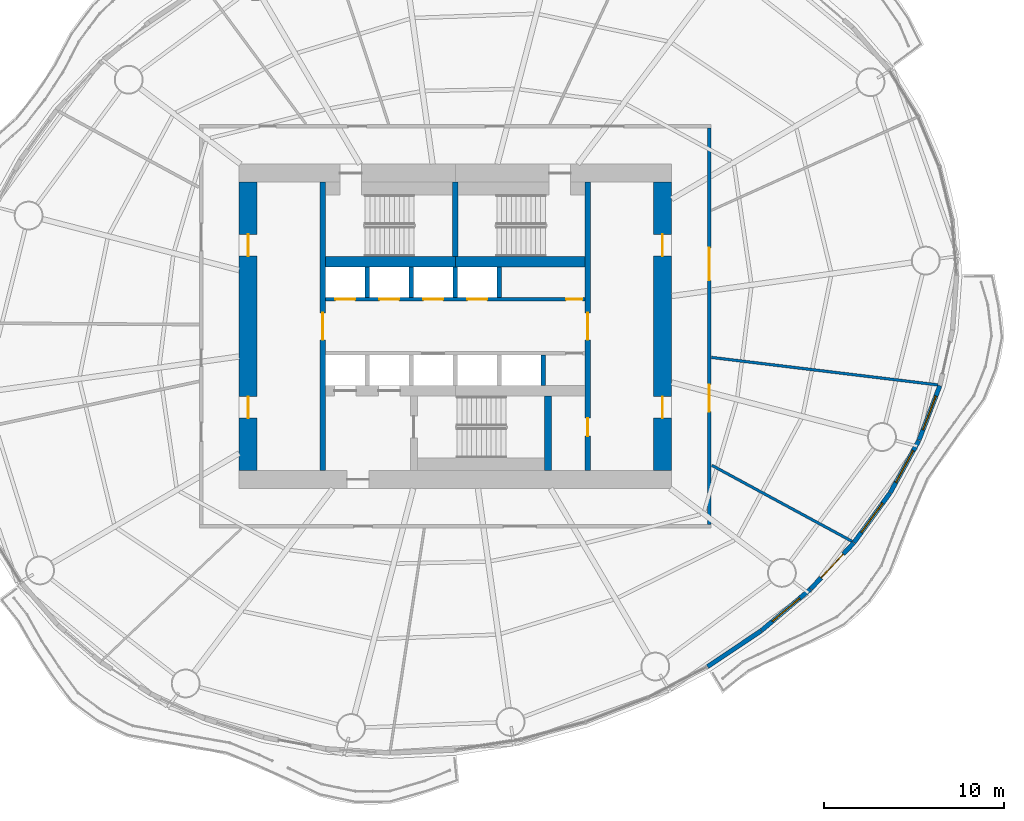
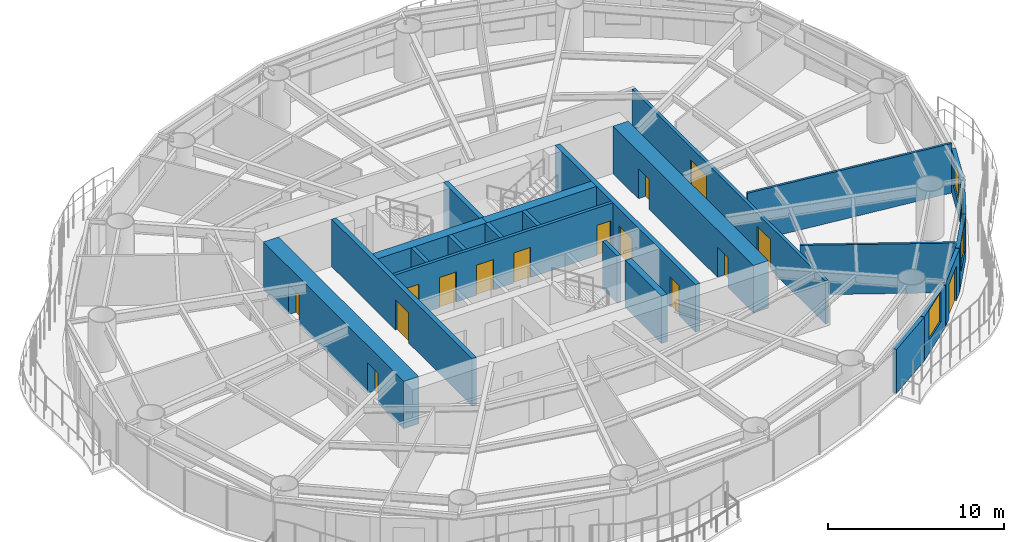
# One storey, part 8 of 14: 23 walls, 15 doors, 4 windows, 19 openings.
"""IFC4 building model written with IfcOpenShell, lengths in metres."""

from ifc_helpers import new_model, si_unit, direction, frame, frame_2d, origin, place, context, subcontext, project, spatial, rectangle, extrude, material, layer, layer_set, type_object, element, fill, save


model = new_model("IFC4")

# Units and contexts
model_context = context("Model", 3, precision=1e-05, world=origin(), true_north=direction((0.0, 1.0)))
body_context = subcontext(model_context, "Body", "Model", "MODEL_VIEW")
ifc_project = project(units=[si_unit("LENGTHUNIT", "METRE"), si_unit("AREAUNIT", "SQUARE_METRE"), si_unit("VOLUMEUNIT", "CUBIC_METRE"), si_unit("PLANEANGLEUNIT", "RADIAN"), si_unit("MASSUNIT", "GRAM", prefix="KILO")], contexts=[model_context])

# Site, building, storey
site_placement = place(None, origin())
site = spatial("IfcSite", under=ifc_project, at=site_placement, CompositionType="ELEMENT")
building_placement = place(site_placement, origin())
building = spatial("IfcBuilding", under=site, at=building_placement, Name="Vermilion Reach Broadcast Tower", CompositionType="ELEMENT")
storey_placement = place(building_placement, frame((0.0, 0.0, 106.60009765625)))
storey = spatial("IfcBuildingStorey", under=building, at=storey_placement, Name="L24", CompositionType="ELEMENT", Elevation=106.60009765625)

# Wall, opening, door
ifc_material_1 = material(Name="Concrete C70", Category="concrete")
ifc_layer_1 = layer(ifc_material_1, 0.300048828125)
ifc_layer_set_1 = layer_set([ifc_layer_1], Name="Core inner wall 300 mm Concrete C70")
wall_type_1 = type_object("IfcWallType", Name="Core inner wall 300 mm Concrete C70", PredefinedType="SHEAR", material=ifc_layer_set_1)
wall_1_placement = place(storey_placement, frame((-13.35009765625, 8.0, 0.0), z_axis=(0.0, 0.0, 1.0), x_axis=(0.0, -1.0, 0.0)))
wall_1 = element("IfcWall", 1, at=wall_1_placement, inside=storey, type_object=wall_type_1, Name="L24 core wall ewW", PredefinedType="SHEAR", context=body_context, shape_type="SweptSolid", body=[
    extrude(rectangle(XDim=16.0, YDim=0.300048828125, at=frame_2d((8.0, 0.0))), origin(), (0.0, 0.0, 1.0), 3.2998046875),
])
opening_1_placement = place(wall_1_placement, frame((7.25, 0.0, 0.0)))
opening_1 = element("IfcOpeningElement", 2, at=opening_1_placement, cuts=wall_1, Name="Opening D04", PredefinedType="OPENING", context=body_context, shape_type="SweptSolid", body=[
    extrude(rectangle(XDim=1.5, YDim=2.10009765625, at=frame_2d((0.75, 1.050048828125))), frame((0.0, 0.159912109375, 0.0), z_axis=(0.0, -1.0, 0.0), x_axis=(1.0, 0.0, 0.0)), (0.0, 0.0, 1.0), 0.320068359375),
])
ifc_material_2 = material(Name="Painted steel fire door", Category="steel")
door_type_1 = type_object("IfcDoorType", Name="Lift lobby door 1500 x 2100", OperationType="DOUBLE_DOOR_SINGLE_SWING", PredefinedType="NOTDEFINED", material=ifc_material_2)
door_1_placement = place(opening_1_placement, origin())
door_1 = element("IfcDoor", 3, at=door_1_placement, inside=storey, type_object=door_type_1, Name="L24 band door BW", OperationType="DOUBLE_DOOR_SINGLE_SWING", OverallHeight=2.10009765625, OverallWidth=1.5, PredefinedType="NOTDEFINED", context=body_context, shape_type="SweptSolid", body=[
    extrude(rectangle(XDim=1.5, YDim=2.10009765625, at=frame_2d((0.75, 1.050048828125))), frame((0.0, 0.02490234375, 0.0), z_axis=(0.0, -1.0, 0.0), x_axis=(1.0, 0.0, 0.0)), (0.0, 0.0, 1.0), 0.050048828125),
])
fill(opening_1, door_1)

# Wall, openings, doors
wall_2_placement = place(storey_placement, frame((1.35009765625, -8.0, 0.0), z_axis=(0.0, 0.0, 1.0), x_axis=(0.0, 1.0, 0.0)))
wall_2 = element("IfcWall", 4, at=wall_2_placement, inside=storey, type_object=wall_type_1, Name="L24 core wall ewE", PredefinedType="SHEAR", context=body_context, shape_type="SweptSolid", body=[
    extrude(rectangle(XDim=16.0, YDim=0.300048828125, at=frame_2d((8.0, 0.0))), origin(), (0.0, 0.0, 1.0), 3.2998046875),
])
opening_2_placement = place(wall_2_placement, frame((1.909912109375, 0.0, 0.0)))
opening_2 = element("IfcOpeningElement", 5, at=opening_2_placement, cuts=wall_2, Name="Opening D05", PredefinedType="OPENING", context=body_context, shape_type="SweptSolid", body=[
    extrude(rectangle(XDim=1.0, YDim=2.10009765625, at=frame_2d((0.5, 1.050048828125))), frame((0.0, 0.159912109375, 0.0), z_axis=(0.0, -1.0, 0.0), x_axis=(1.0, 0.0, 0.0)), (0.0, 0.0, 1.0), 0.320068359375),
])
opening_3_placement = place(wall_2_placement, frame((7.25, 0.0, 0.0)))
opening_3 = element("IfcOpeningElement", 6, at=opening_3_placement, cuts=wall_2, Name="Opening D04", PredefinedType="OPENING", context=body_context, shape_type="SweptSolid", body=[
    extrude(rectangle(XDim=1.5, YDim=2.10009765625, at=frame_2d((0.75, 1.050048828125))), frame((0.0, 0.159912109375, 0.0), z_axis=(0.0, -1.0, 0.0), x_axis=(1.0, 0.0, 0.0)), (0.0, 0.0, 1.0), 0.320068359375),
])
door_2_placement = place(opening_3_placement, origin())
door_2 = element("IfcDoor", 7, at=door_2_placement, inside=storey, type_object=door_type_1, Name="L24 band door BE", OperationType="DOUBLE_DOOR_SINGLE_SWING", OverallHeight=2.10009765625, OverallWidth=1.5, PredefinedType="NOTDEFINED", context=body_context, shape_type="SweptSolid", body=[
    extrude(rectangle(XDim=1.5, YDim=2.10009765625, at=frame_2d((0.75, 1.050048828125))), frame((0.0, 0.02490234375, 0.0), z_axis=(0.0, -1.0, 0.0), x_axis=(1.0, 0.0, 0.0)), (0.0, 0.0, 1.0), 0.050048828125),
])
fill(opening_3, door_2)
ifc_material_3 = material(Name="Timber door", Category="wood")
door_type_2 = type_object("IfcDoorType", Name="Room door 1000 x 2100", OperationType="NOTDEFINED", PredefinedType="NOTDEFINED", material=ifc_material_3)
door_3_placement = place(opening_2_placement, origin())
door_3 = element("IfcDoor", 8, at=door_3_placement, inside=storey, type_object=door_type_2, Name="L24 door SER", OperationType="SINGLE_SWING_LEFT", OverallHeight=2.10009765625, OverallWidth=1.0, PredefinedType="NOTDEFINED", context=body_context, shape_type="SweptSolid", body=[
    extrude(rectangle(XDim=1.0, YDim=2.10009765625, at=frame_2d((0.5, 1.050048828125))), frame((0.0, 0.02490234375, 0.0), z_axis=(0.0, -1.0, 0.0), x_axis=(1.0, 0.0, 0.0)), (0.0, 0.0, 1.0), 0.050048828125),
])
fill(opening_2, door_3)

# Walls
wall_3_placement = place(storey_placement, frame((-6.0, 3.8798828125, 0.0), z_axis=(0.0, 0.0, 1.0), x_axis=(0.0, 1.0, 0.0)))
element("IfcWall", 9, at=wall_3_placement, inside=storey, type_object=wall_type_1, Name="L24 core wall wc", PredefinedType="SHEAR", context=body_context, shape_type="SweptSolid", body=[
    extrude(rectangle(XDim=4.1201171875, YDim=0.300048828125, at=frame_2d((2.06005859375, 0.0))), origin(), (0.0, 0.0, 1.0), 3.2998046875),
])
ifc_material_4 = material(Name="Concrete C70", Category="concrete")
ifc_layer_2 = layer(ifc_material_4, 0.39990234375)
ifc_layer_set_2 = layer_set([ifc_layer_2], Name="Core inner wall 400 mm Concrete C70")
wall_type_2 = type_object("IfcWallType", Name="Core inner wall 400 mm Concrete C70", PredefinedType="SHEAR", material=ifc_layer_set_2)
wall_4_placement = place(storey_placement, frame((-0.85009765625, -3.8798828125, 0.0), z_axis=(0.0, 0.0, 1.0), x_axis=(0.0, -1.0, 0.0)))
element("IfcWall", 10, at=wall_4_placement, inside=storey, type_object=wall_type_2, Name="L24 core wall wb", PredefinedType="SHEAR", context=body_context, shape_type="SweptSolid", body=[
    extrude(rectangle(XDim=4.1201171875, YDim=0.39990234375, at=frame_2d((2.06005859375, 0.0))), origin(), (0.0, 0.0, 1.0), 3.2998046875),
])
ifc_material_5 = material(Name="Concrete C70", Category="concrete")
ifc_layer_3 = layer(ifc_material_5, 0.60009765625)
ifc_layer_set_3 = layer_set([ifc_layer_3], Name="Core inner wall 600 mm Concrete C70")
wall_type_3 = type_object("IfcWallType", Name="Core inner wall 600 mm Concrete C70", PredefinedType="SHEAR", material=ifc_layer_set_3)
for number, where, z_axis, x_axis, name in (
    (11, (-13.199951171875, 3.580078125, 0.0), (0.0, 0.0, 1.0), (1.0, 0.0, 0.0), "L24 core wall winW"),
    (12, (-6.0, 3.580078125, 0.0), (0.0, 0.0, 1.0), (1.0, 0.0, 0.0), "L24 core wall winE"),
):
    element("IfcWall", number, at=place(storey_placement, frame(where, z_axis=z_axis, x_axis=x_axis)), inside=storey, type_object=wall_type_3, Name=name, PredefinedType="SHEAR", context=body_context, shape_type="SweptSolid", body=[
        extrude(rectangle(XDim=7.199951171875, YDim=0.60009765625, at=frame_2d((3.60009765625, 0.0))), origin(), (0.0, 0.0, 1.0), 3.2998046875),
    ])

# Wall, openings, doors
ifc_material_6 = material(Name="Concrete C70", Category="concrete")
ifc_layer_4 = layer(ifc_material_6, 1.0)
ifc_layer_set_4 = layer_set([ifc_layer_4], Name="Core outer wall 1000 mm Concrete C70")
wall_type_4 = type_object("IfcWallType", Name="Core outer wall 1000 mm Concrete C70", PredefinedType="SHEAR", material=ifc_layer_set_4)
wall_5_placement = place(storey_placement, frame((-17.5, 8.0, 0.0), z_axis=(0.0, 0.0, 1.0), x_axis=(0.0, -1.0, 0.0)))
wall_5 = element("IfcWall", 13, at=wall_5_placement, inside=storey, type_object=wall_type_4, Name="L24 core wall ow", PredefinedType="SHEAR", context=body_context, shape_type="SweptSolid", body=[
    extrude(rectangle(XDim=16.0, YDim=1.0, at=frame_2d((8.0, 0.0))), origin(), (0.0, 0.0, 1.0), 3.2998046875),
])
opening_4_placement = place(wall_5_placement, frame((11.89990234375, 0.0, 0.0)))
opening_4 = element("IfcOpeningElement", 14, at=opening_4_placement, cuts=wall_5, Name="Opening D03", PredefinedType="OPENING", context=body_context, shape_type="SweptSolid", body=[
    extrude(rectangle(XDim=1.199951171875, YDim=2.10009765625, at=frame_2d((0.60009765625, 1.050048828125))), frame((0.0, 0.510009765625, 0.0), z_axis=(0.0, -1.0, 0.0), x_axis=(1.0, 0.0, 0.0)), (0.0, 0.0, 1.0), 1.02001953125),
])
opening_5_placement = place(wall_5_placement, frame((2.89990234375, 0.0, 0.0)))
opening_5 = element("IfcOpeningElement", 15, at=opening_5_placement, cuts=wall_5, Name="Opening D03", PredefinedType="OPENING", context=body_context, shape_type="SweptSolid", body=[
    extrude(rectangle(XDim=1.199951171875, YDim=2.10009765625, at=frame_2d((0.60009765625, 1.050048828125))), frame((0.0, 0.510009765625, 0.0), z_axis=(0.0, -1.0, 0.0), x_axis=(1.0, 0.0, 0.0)), (0.0, 0.0, 1.0), 1.02001953125),
])
ifc_material_7 = material(Name="Painted steel fire door", Category="steel")
door_type_3 = type_object("IfcDoorType", Name="Core lobby door 1200 x 2100", OperationType="DOUBLE_DOOR_SINGLE_SWING", PredefinedType="NOTDEFINED", material=ifc_material_7)
door_4_placement = place(opening_4_placement, origin())
door_4 = element("IfcDoor", 16, at=door_4_placement, inside=storey, type_object=door_type_3, Name="L24 slot door W0", OperationType="DOUBLE_DOOR_SINGLE_SWING", OverallHeight=2.10009765625, OverallWidth=1.199951171875, PredefinedType="NOTDEFINED", context=body_context, shape_type="SweptSolid", body=[
    extrude(rectangle(XDim=1.199951171875, YDim=2.10009765625, at=frame_2d((0.60009765625, 1.050048828125))), frame((0.0, 0.02490234375, 0.0), z_axis=(0.0, -1.0, 0.0), x_axis=(1.0, 0.0, 0.0)), (0.0, 0.0, 1.0), 0.050048828125),
])
fill(opening_4, door_4)
door_5_placement = place(opening_5_placement, origin())
door_5 = element("IfcDoor", 17, at=door_5_placement, inside=storey, type_object=door_type_3, Name="L24 slot door W1", OperationType="DOUBLE_DOOR_SINGLE_SWING", OverallHeight=2.10009765625, OverallWidth=1.199951171875, PredefinedType="NOTDEFINED", context=body_context, shape_type="SweptSolid", body=[
    extrude(rectangle(XDim=1.199951171875, YDim=2.10009765625, at=frame_2d((0.60009765625, 1.050048828125))), frame((0.0, 0.02490234375, 0.0), z_axis=(0.0, -1.0, 0.0), x_axis=(1.0, 0.0, 0.0)), (0.0, 0.0, 1.0), 0.050048828125),
])
fill(opening_5, door_5)

wall_6_placement = place(storey_placement, frame((5.5, -8.0, 0.0), z_axis=(0.0, 0.0, 1.0), x_axis=(0.0, 1.0, 0.0)))
wall_6 = element("IfcWall", 18, at=wall_6_placement, inside=storey, type_object=wall_type_4, Name="L24 core wall oe", PredefinedType="SHEAR", context=body_context, shape_type="SweptSolid", body=[
    extrude(rectangle(XDim=16.0, YDim=1.0, at=frame_2d((8.0, 0.0))), origin(), (0.0, 0.0, 1.0), 3.2998046875),
])
opening_6_placement = place(wall_6_placement, frame((2.89990234375, 0.0, 0.0)))
opening_6 = element("IfcOpeningElement", 19, at=opening_6_placement, cuts=wall_6, Name="Opening D03", PredefinedType="OPENING", context=body_context, shape_type="SweptSolid", body=[
    extrude(rectangle(XDim=1.199951171875, YDim=2.10009765625, at=frame_2d((0.60009765625, 1.050048828125))), frame((0.0, 0.510009765625, 0.0), z_axis=(0.0, -1.0, 0.0), x_axis=(1.0, 0.0, 0.0)), (0.0, 0.0, 1.0), 1.02001953125),
])
opening_7_placement = place(wall_6_placement, frame((11.89990234375, 0.0, 0.0)))
opening_7 = element("IfcOpeningElement", 20, at=opening_7_placement, cuts=wall_6, Name="Opening D03", PredefinedType="OPENING", context=body_context, shape_type="SweptSolid", body=[
    extrude(rectangle(XDim=1.199951171875, YDim=2.10009765625, at=frame_2d((0.60009765625, 1.050048828125))), frame((0.0, 0.510009765625, 0.0), z_axis=(0.0, -1.0, 0.0), x_axis=(1.0, 0.0, 0.0)), (0.0, 0.0, 1.0), 1.02001953125),
])
door_6_placement = place(opening_6_placement, origin())
door_6 = element("IfcDoor", 21, at=door_6_placement, inside=storey, type_object=door_type_3, Name="L24 slot door E0", OperationType="DOUBLE_DOOR_SINGLE_SWING", OverallHeight=2.10009765625, OverallWidth=1.199951171875, PredefinedType="NOTDEFINED", context=body_context, shape_type="SweptSolid", body=[
    extrude(rectangle(XDim=1.199951171875, YDim=2.10009765625, at=frame_2d((0.60009765625, 1.050048828125))), frame((0.0, 0.02490234375, 0.0), z_axis=(0.0, -1.0, 0.0), x_axis=(1.0, 0.0, 0.0)), (0.0, 0.0, 1.0), 0.050048828125),
])
fill(opening_6, door_6)
door_7_placement = place(opening_7_placement, origin())
door_7 = element("IfcDoor", 22, at=door_7_placement, inside=storey, type_object=door_type_3, Name="L24 slot door E1", OperationType="DOUBLE_DOOR_SINGLE_SWING", OverallHeight=2.10009765625, OverallWidth=1.199951171875, PredefinedType="NOTDEFINED", context=body_context, shape_type="SweptSolid", body=[
    extrude(rectangle(XDim=1.199951171875, YDim=2.10009765625, at=frame_2d((0.60009765625, 1.050048828125))), frame((0.0, 0.02490234375, 0.0), z_axis=(0.0, -1.0, 0.0), x_axis=(1.0, 0.0, 0.0)), (0.0, 0.0, 1.0), 0.050048828125),
])
fill(opening_7, door_7)

ifc_material_8 = material(Name="Concrete C50", Category="concrete")
ifc_layer_5 = layer(ifc_material_8, 0.199951171875)
ifc_layer_set_5 = layer_set([ifc_layer_5], Name="Core shaft wall 200 mm Concrete C50")
wall_type_5 = type_object("IfcWallType", Name="Core shaft wall 200 mm Concrete C50", PredefinedType="SHEAR", material=ifc_layer_set_5)
wall_7_placement = place(storey_placement, frame((-13.199951171875, 1.5, 0.0), z_axis=(0.0, 0.0, 1.0), x_axis=(1.0, 0.0, 0.0)))
wall_7 = element("IfcWall", 23, at=wall_7_placement, inside=storey, type_object=wall_type_5, Name="L24 core wall fn", PredefinedType="SHEAR", context=body_context, shape_type="SweptSolid", body=[
    extrude(rectangle(XDim=14.39990234375, YDim=0.199951171875, at=frame_2d((7.199951171875, 0.0))), origin(), (0.0, 0.0, 1.0), 3.2998046875),
])
opening_8_placement = place(wall_7_placement, frame((0.5458984375, 0.0, 0.0)))
opening_8 = element("IfcOpeningElement", 24, at=opening_8_placement, cuts=wall_7, Name="Opening LD2", PredefinedType="OPENING", context=body_context, shape_type="SweptSolid", body=[
    extrude(rectangle(XDim=1.10009765625, YDim=2.10009765625, at=frame_2d((0.550048828125, 1.050048828125))), frame((0.0, 0.10986328125, 0.0), z_axis=(0.0, -1.0, 0.0), x_axis=(1.0, 0.0, 0.0)), (0.0, 0.0, 1.0), 0.219970703125),
])
opening_9_placement = place(wall_7_placement, frame((2.987548828125, 0.0, 0.0)))
opening_9 = element("IfcOpeningElement", 25, at=opening_9_placement, cuts=wall_7, Name="Opening LD2", PredefinedType="OPENING", context=body_context, shape_type="SweptSolid", body=[
    extrude(rectangle(XDim=1.10009765625, YDim=2.10009765625, at=frame_2d((0.550048828125, 1.050048828125))), frame((0.0, 0.10986328125, 0.0), z_axis=(0.0, -1.0, 0.0), x_axis=(1.0, 0.0, 0.0)), (0.0, 0.0, 1.0), 0.219970703125),
])
opening_10_placement = place(wall_7_placement, frame((5.42919921875, 0.0, 0.0)))
opening_10 = element("IfcOpeningElement", 26, at=opening_10_placement, cuts=wall_7, Name="Opening LD2", PredefinedType="OPENING", context=body_context, shape_type="SweptSolid", body=[
    extrude(rectangle(XDim=1.10009765625, YDim=2.10009765625, at=frame_2d((0.550048828125, 1.050048828125))), frame((0.0, 0.10986328125, 0.0), z_axis=(0.0, -1.0, 0.0), x_axis=(1.0, 0.0, 0.0)), (0.0, 0.0, 1.0), 0.219970703125),
])
opening_11_placement = place(wall_7_placement, frame((7.870849609375, 0.0, 0.0)))
opening_11 = element("IfcOpeningElement", 27, at=opening_11_placement, cuts=wall_7, Name="Opening LD2", PredefinedType="OPENING", context=body_context, shape_type="SweptSolid", body=[
    extrude(rectangle(XDim=1.10009765625, YDim=2.10009765625, at=frame_2d((0.550048828125, 1.050048828125))), frame((0.0, 0.10986328125, 0.0), z_axis=(0.0, -1.0, 0.0), x_axis=(1.0, 0.0, 0.0)), (0.0, 0.0, 1.0), 0.219970703125),
])
opening_12_placement = place(wall_7_placement, frame((13.35009765625, 0.0, 0.0)))
opening_12 = element("IfcOpeningElement", 28, at=opening_12_placement, cuts=wall_7, Name="Opening D06", PredefinedType="OPENING", context=body_context, shape_type="SweptSolid", body=[
    extrude(rectangle(XDim=0.89990234375, YDim=2.10009765625, at=frame_2d((0.449951171875, 1.050048828125))), frame((0.0, 0.10986328125, 0.0), z_axis=(0.0, -1.0, 0.0), x_axis=(1.0, 0.0, 0.0)), (0.0, 0.0, 1.0), 0.219970703125),
])
ifc_material_9 = material(Name="Stainless steel", Category="steel")
door_type_4 = type_object("IfcDoorType", Name="Landing door 1100 x 2100", OperationType="DOUBLE_DOOR_SLIDING", PredefinedType="NOTDEFINED", material=ifc_material_9)
door_8_placement = place(opening_8_placement, origin())
door_8 = element("IfcDoor", 29, at=door_8_placement, inside=storey, type_object=door_type_4, Name="L24 landing door LR1", OperationType="DOUBLE_DOOR_SLIDING", OverallHeight=2.10009765625, OverallWidth=1.10009765625, PredefinedType="NOTDEFINED", context=body_context, shape_type="SweptSolid", body=[
    extrude(rectangle(XDim=1.10009765625, YDim=2.10009765625, at=frame_2d((0.550048828125, 1.050048828125))), frame((0.0, 0.02490234375, 0.0), z_axis=(0.0, -1.0, 0.0), x_axis=(1.0, 0.0, 0.0)), (0.0, 0.0, 1.0), 0.050048828125),
])
fill(opening_8, door_8)
door_9_placement = place(opening_9_placement, origin())
door_9 = element("IfcDoor", 30, at=door_9_placement, inside=storey, type_object=door_type_4, Name="L24 landing door LR2", OperationType="DOUBLE_DOOR_SLIDING", OverallHeight=2.10009765625, OverallWidth=1.10009765625, PredefinedType="NOTDEFINED", context=body_context, shape_type="SweptSolid", body=[
    extrude(rectangle(XDim=1.10009765625, YDim=2.10009765625, at=frame_2d((0.550048828125, 1.050048828125))), frame((0.0, 0.02490234375, 0.0), z_axis=(0.0, -1.0, 0.0), x_axis=(1.0, 0.0, 0.0)), (0.0, 0.0, 1.0), 0.050048828125),
])
fill(opening_9, door_9)
door_10_placement = place(opening_10_placement, origin())
door_10 = element("IfcDoor", 31, at=door_10_placement, inside=storey, type_object=door_type_4, Name="L24 landing door LR3", OperationType="DOUBLE_DOOR_SLIDING", OverallHeight=2.10009765625, OverallWidth=1.10009765625, PredefinedType="NOTDEFINED", context=body_context, shape_type="SweptSolid", body=[
    extrude(rectangle(XDim=1.10009765625, YDim=2.10009765625, at=frame_2d((0.550048828125, 1.050048828125))), frame((0.0, 0.02490234375, 0.0), z_axis=(0.0, -1.0, 0.0), x_axis=(1.0, 0.0, 0.0)), (0.0, 0.0, 1.0), 0.050048828125),
])
fill(opening_10, door_10)
door_11_placement = place(opening_11_placement, origin())
door_11 = element("IfcDoor", 32, at=door_11_placement, inside=storey, type_object=door_type_4, Name="L24 landing door LR4", OperationType="DOUBLE_DOOR_SLIDING", OverallHeight=2.10009765625, OverallWidth=1.10009765625, PredefinedType="NOTDEFINED", context=body_context, shape_type="SweptSolid", body=[
    extrude(rectangle(XDim=1.10009765625, YDim=2.10009765625, at=frame_2d((0.550048828125, 1.050048828125))), frame((0.0, 0.02490234375, 0.0), z_axis=(0.0, -1.0, 0.0), x_axis=(1.0, 0.0, 0.0)), (0.0, 0.0, 1.0), 0.050048828125),
])
fill(opening_11, door_11)
ifc_material_10 = material(Name="Timber door", Category="wood")
door_type_5 = type_object("IfcDoorType", Name="WC door 900 x 2100", OperationType="NOTDEFINED", PredefinedType="NOTDEFINED", material=ifc_material_10)
door_12_placement = place(opening_12_placement, origin())
door_12 = element("IfcDoor", 33, at=door_12_placement, inside=storey, type_object=door_type_5, Name="L24 door Female WC", OperationType="SINGLE_SWING_RIGHT", OverallHeight=2.10009765625, OverallWidth=0.89990234375, PredefinedType="NOTDEFINED", context=body_context, shape_type="SweptSolid", body=[
    extrude(rectangle(XDim=0.89990234375, YDim=2.10009765625, at=frame_2d((0.449951171875, 1.050048828125))), frame((0.0, 0.02490234375, 0.0), z_axis=(0.0, -1.0, 0.0), x_axis=(1.0, 0.0, 0.0)), (0.0, 0.0, 1.0), 0.050048828125),
])
fill(opening_12, door_12)

# Walls
ifc_material_11 = material(Name="Concrete C50", Category="concrete")
ifc_layer_6 = layer(ifc_material_11, 0.25)
ifc_layer_set_6 = layer_set([ifc_layer_6], Name="Core shaft wall 250 mm Concrete C50")
wall_type_6 = type_object("IfcWallType", Name="Core shaft wall 250 mm Concrete C50", PredefinedType="SHEAR", material=ifc_layer_set_6)
for number, where, z_axis, x_axis, name in (
    (34, (-10.88330078125, 1.60009765625, 0.0), (0.0, 0.0, 1.0), (0.0, 1.0, 0.0), "L24 core wall psN0"),
    (35, (-8.441650390625, 1.60009765625, 0.0), (0.0, 0.0, 1.0), (0.0, 1.0, 0.0), "L24 core wall psN1"),
    (36, (-6.0, 1.60009765625, 0.0), (0.0, 0.0, 1.0), (0.0, 1.0, 0.0), "L24 core wall psN2"),
    (37, (-3.558349609375, 1.60009765625, 0.0), (0.0, 0.0, 1.0), (0.0, 1.0, 0.0), "L24 core wall psN3"),
    (38, (-1.11669921875, -1.60009765625, 0.0), (0.0, 0.0, 1.0), (0.0, -1.0, 0.0), "L24 core wall psS4"),
):
    element("IfcWall", number, at=place(storey_placement, frame(where, z_axis=z_axis, x_axis=x_axis)), inside=storey, type_object=wall_type_6, Name=name, PredefinedType="SHEAR", context=body_context, shape_type="SweptSolid", body=[
        extrude(rectangle(XDim=1.679931640625, YDim=0.25, at=frame_2d((0.83984375, 0.0))), origin(), (0.0, 0.0, 1.0), 3.2998046875),
    ])
ifc_material_12 = material(Name="Lightweight concrete block, plastered", Category="concrete")
ifc_layer_7 = layer(ifc_material_12, 0.14990234375)
ifc_layer_set_7 = layer_set([ifc_layer_7], Name="Partition 150 lightweight block")
wall_type_7 = type_object("IfcWallType", Name="Partition 150 lightweight block", PredefinedType="PARTITIONING", material=ifc_layer_set_7)
wall_8_placement = place(storey_placement, frame((16.017578125, -11.932861328125, 0.0), z_axis=(0.0, 0.0, 1.0), x_axis=(-0.879177388761, 0.476494616015, 0.0)))
element("IfcWall", 39, at=wall_8_placement, inside=storey, type_object=wall_type_7, Name="Partition 24.10", PredefinedType="PARTITIONING", context=body_context, shape_type="SweptSolid", body=[
    extrude(rectangle(XDim=8.85107421875, YDim=0.14990234375, at=frame_2d((4.425537109375, 0.0))), origin(), (0.0, 0.0, 1.0), 3.449951171875),
])
wall_9_placement = place(storey_placement, frame((20.7724609375, -3.25146484375, 0.0), z_axis=(0.0, 0.0, 1.0), x_axis=(-0.992705123228, 0.120567567434, 0.0)))
element("IfcWall", 40, at=wall_9_placement, inside=storey, type_object=wall_type_7, Name="Partition 24.11", PredefinedType="PARTITIONING", context=body_context, shape_type="SweptSolid", body=[
    extrude(rectangle(XDim=12.65576171875, YDim=0.14990234375, at=frame_2d((6.327880859375, 0.0))), origin(), (0.0, 0.0, 1.0), 3.449951171875),
])
ifc_material_13 = material(Name="Terracotta rainscreen cladding", Category="masonry")
ifc_layer_8 = layer(ifc_material_13, 0.25)
ifc_layer_set_8 = layer_set([ifc_layer_8], Name="Terracotta rainscreen wall 250")
wall_type_8 = type_object("IfcWallType", Name="Terracotta rainscreen wall 250", PredefinedType="SOLIDWALL", material=ifc_layer_set_8)
wall_10_placement = place(storey_placement, frame((8.002197265625, -18.8857421875, 0.0), z_axis=(0.0, 0.0, 1.0), x_axis=(0.83113537962, 0.556070122146, 0.0)))
element("IfcWall", 41, at=wall_10_placement, inside=storey, type_object=wall_type_8, Name="External wall L24 38", PredefinedType="SOLIDWALL", context=body_context, shape_type="SweptSolid", body=[
    extrude(rectangle(XDim=3.575927734375, YDim=0.25, at=frame_2d((1.7880859375, 0.0))), origin(), (0.0, 0.0, 1.0), 3.0498046875),
])

# Wall, opening, window
wall_11_placement = place(storey_placement, frame((10.991943359375, -16.8837890625, 0.0), z_axis=(0.0, 0.0, 1.0), x_axis=(0.763331662342, 0.646006790418, 0.0)))
wall_11 = element("IfcWall", 42, at=wall_11_placement, inside=storey, type_object=wall_type_8, Name="External wall L24 39", PredefinedType="SOLIDWALL", context=body_context, shape_type="SweptSolid", body=[
    extrude(rectangle(XDim=3.560302734375, YDim=0.25, at=frame_2d((1.7802734375, 0.0))), origin(), (0.0, 0.0, 1.0), 3.0498046875),
])
opening_13_placement = place(wall_11_placement, frame((0.7802734375, 0.0, 0.89990234375)))
opening_13 = element("IfcOpeningElement", 43, at=opening_13_placement, cuts=wall_11, Name="Opening W03", PredefinedType="OPENING", context=body_context, shape_type="SweptSolid", body=[
    extrude(rectangle(XDim=2.0, YDim=2.10009765625, at=frame_2d((1.0, 1.050048828125))), frame((0.0, 0.135009765625, 0.0), z_axis=(0.0, -1.0, 0.0), x_axis=(1.0, 0.0, 0.0)), (0.0, 0.0, 1.0), 0.27001953125),
])
ifc_material_14 = material(Name="Low-e laminated clear glass in aluminium frame", Category="aluminium")
window_type = type_object("IfcWindowType", Name="Punched window 2000 x 2100 sill 900", PartitioningType="SINGLE_PANEL", PredefinedType="WINDOW", material=ifc_material_14)
window_1_placement = place(opening_13_placement, origin())
window_1 = element("IfcWindow", 44, at=window_1_placement, inside=storey, type_object=window_type, Name="Window L24 39", OverallHeight=2.10009765625, OverallWidth=2.0, PartitioningType="SINGLE_PANEL", PredefinedType="WINDOW", context=body_context, shape_type="SweptSolid", body=[
    extrude(rectangle(XDim=2.0, YDim=2.10009765625, at=frame_2d((1.0, 1.050048828125))), frame((0.0, 0.030029296875, 0.0), z_axis=(0.0, -1.0, 0.0), x_axis=(1.0, 0.0, 0.0)), (0.0, 0.0, 1.0), 0.06005859375),
])
fill(opening_13, window_1)

# Wall, opening, door
wall_12_placement = place(storey_placement, frame((13.72607421875, -14.568115234375, 0.0), z_axis=(0.0, 0.0, 1.0), x_axis=(0.68271241641, 0.730687181002, 0.0)))
wall_12 = element("IfcWall", 45, at=wall_12_placement, inside=storey, type_object=wall_type_8, Name="External wall L24 40", PredefinedType="SOLIDWALL", context=body_context, shape_type="SweptSolid", body=[
    extrude(rectangle(XDim=3.48583984375, YDim=0.25, at=frame_2d((1.742919921875, 0.0))), origin(), (0.0, 0.0, 1.0), 3.0498046875),
])
opening_14_placement = place(wall_12_placement, frame((0.843017578125, 0.0, 0.0)))
opening_14 = element("IfcOpeningElement", 46, at=opening_14_placement, cuts=wall_12, Name="Opening D70", PredefinedType="OPENING", context=body_context, shape_type="SweptSolid", body=[
    extrude(rectangle(XDim=1.800048828125, YDim=2.39990234375, at=frame_2d((0.89990234375, 1.199951171875))), frame((0.0, 0.135009765625, 0.0), z_axis=(0.0, -1.0, 0.0), x_axis=(1.0, 0.0, 0.0)), (0.0, 0.0, 1.0), 0.27001953125),
])
ifc_material_15 = material(Name="Low-e laminated clear glass in aluminium frame", Category="aluminium")
door_type_6 = type_object("IfcDoorType", Name="Balcony sliding door 1800 x 2400", OperationType="DOUBLE_DOOR_SLIDING", PredefinedType="DOOR", material=ifc_material_15)
door_13_placement = place(opening_14_placement, origin())
door_13 = element("IfcDoor", 47, at=door_13_placement, inside=storey, type_object=door_type_6, Name="Balcony door L24 run 10", OperationType="DOUBLE_DOOR_SLIDING", OverallHeight=2.39990234375, OverallWidth=1.800048828125, PredefinedType="DOOR", context=body_context, shape_type="SweptSolid", body=[
    extrude(rectangle(XDim=1.800048828125, YDim=2.39990234375, at=frame_2d((0.89990234375, 1.199951171875))), frame((0.0, 0.02490234375, 0.0), z_axis=(0.0, -1.0, 0.0), x_axis=(1.0, 0.0, 0.0)), (0.0, 0.0, 1.0), 0.050048828125),
])
fill(opening_14, door_13)

# Wall, opening, window
wall_13_placement = place(storey_placement, frame((16.120849609375, -12.003173828125, 0.0), z_axis=(0.0, 0.0, 1.0), x_axis=(0.588602739614, 0.808422423563, 0.0)))
wall_13 = element("IfcWall", 48, at=wall_13_placement, inside=storey, type_object=wall_type_8, Name="External wall L24 41", PredefinedType="SOLIDWALL", context=body_context, shape_type="SweptSolid", body=[
    extrude(rectangle(XDim=3.40087890625, YDim=0.25, at=frame_2d((1.700439453125, 0.0))), origin(), (0.0, 0.0, 1.0), 3.0498046875),
])
opening_15_placement = place(wall_13_placement, frame((0.700439453125, 0.0, 0.89990234375)))
opening_15 = element("IfcOpeningElement", 49, at=opening_15_placement, cuts=wall_13, Name="Opening W03", PredefinedType="OPENING", context=body_context, shape_type="SweptSolid", body=[
    extrude(rectangle(XDim=2.0, YDim=2.10009765625, at=frame_2d((1.0, 1.050048828125))), frame((0.0, 0.135009765625, 0.0), z_axis=(0.0, -1.0, 0.0), x_axis=(1.0, 0.0, 0.0)), (0.0, 0.0, 1.0), 0.27001953125),
])
window_2_placement = place(opening_15_placement, origin())
window_2 = element("IfcWindow", 50, at=window_2_placement, inside=storey, type_object=window_type, Name="Window L24 41", OverallHeight=2.10009765625, OverallWidth=2.0, PartitioningType="SINGLE_PANEL", PredefinedType="WINDOW", context=body_context, shape_type="SweptSolid", body=[
    extrude(rectangle(XDim=2.0, YDim=2.10009765625, at=frame_2d((1.0, 1.050048828125))), frame((0.0, 0.030029296875, 0.0), z_axis=(0.0, -1.0, 0.0), x_axis=(1.0, 0.0, 0.0)), (0.0, 0.0, 1.0), 0.06005859375),
])
fill(opening_15, window_2)

wall_14_placement = place(storey_placement, frame((18.135498046875, -9.233642578125, 0.0), z_axis=(0.0, 0.0, 1.0), x_axis=(0.48026734168, 0.877122158263, 0.0)))
wall_14 = element("IfcWall", 51, at=wall_14_placement, inside=storey, type_object=wall_type_8, Name="External wall L24 42", PredefinedType="SOLIDWALL", context=body_context, shape_type="SweptSolid", body=[
    extrude(rectangle(XDim=3.310302734375, YDim=0.25, at=frame_2d((1.6552734375, 0.0))), origin(), (0.0, 0.0, 1.0), 3.0498046875),
])
opening_16_placement = place(wall_14_placement, frame((0.6552734375, 0.0, 0.89990234375)))
opening_16 = element("IfcOpeningElement", 52, at=opening_16_placement, cuts=wall_14, Name="Opening W03", PredefinedType="OPENING", context=body_context, shape_type="SweptSolid", body=[
    extrude(rectangle(XDim=2.0, YDim=2.10009765625, at=frame_2d((1.0, 1.050048828125))), frame((0.0, 0.135009765625, 0.0), z_axis=(0.0, -1.0, 0.0), x_axis=(1.0, 0.0, 0.0)), (0.0, 0.0, 1.0), 0.27001953125),
])
window_3_placement = place(opening_16_placement, origin())
window_3 = element("IfcWindow", 53, at=window_3_placement, inside=storey, type_object=window_type, Name="Window L24 42", OverallHeight=2.10009765625, OverallWidth=2.0, PartitioningType="SINGLE_PANEL", PredefinedType="WINDOW", context=body_context, shape_type="SweptSolid", body=[
    extrude(rectangle(XDim=2.0, YDim=2.10009765625, at=frame_2d((1.0, 1.050048828125))), frame((0.0, 0.030029296875, 0.0), z_axis=(0.0, -1.0, 0.0), x_axis=(1.0, 0.0, 0.0)), (0.0, 0.0, 1.0), 0.06005859375),
])
fill(opening_16, window_3)

wall_15_placement = place(storey_placement, frame((19.735595703125, -6.307373046875, 0.0), z_axis=(0.0, 0.0, 1.0), x_axis=(0.357678213507, 0.933844899104, 0.0)))
wall_15 = element("IfcWall", 54, at=wall_15_placement, inside=storey, type_object=wall_type_8, Name="External wall L24 43", PredefinedType="SOLIDWALL", context=body_context, shape_type="SweptSolid", body=[
    extrude(rectangle(XDim=3.220458984375, YDim=0.25, at=frame_2d((1.6103515625, 0.0))), origin(), (0.0, 0.0, 1.0), 3.0498046875),
])
opening_17_placement = place(wall_15_placement, frame((0.610107421875, 0.0, 0.89990234375)))
opening_17 = element("IfcOpeningElement", 55, at=opening_17_placement, cuts=wall_15, Name="Opening W03", PredefinedType="OPENING", context=body_context, shape_type="SweptSolid", body=[
    extrude(rectangle(XDim=2.0, YDim=2.10009765625, at=frame_2d((1.0, 1.050048828125))), frame((0.0, 0.135009765625, 0.0), z_axis=(0.0, -1.0, 0.0), x_axis=(1.0, 0.0, 0.0)), (0.0, 0.0, 1.0), 0.27001953125),
])
window_4_placement = place(opening_17_placement, origin())
window_4 = element("IfcWindow", 56, at=window_4_placement, inside=storey, type_object=window_type, Name="Window L24 43", OverallHeight=2.10009765625, OverallWidth=2.0, PartitioningType="SINGLE_PANEL", PredefinedType="WINDOW", context=body_context, shape_type="SweptSolid", body=[
    extrude(rectangle(XDim=2.0, YDim=2.10009765625, at=frame_2d((1.0, 1.050048828125))), frame((0.0, 0.030029296875, 0.0), z_axis=(0.0, -1.0, 0.0), x_axis=(1.0, 0.0, 0.0)), (0.0, 0.0, 1.0), 0.06005859375),
])
fill(opening_17, window_4)

# Wall, openings, doors
ifc_material_16 = material(Name="Fire-rated gypsum board partition")
ifc_layer_9 = layer(ifc_material_16, 0.199951171875)
ifc_layer_set_9 = layer_set([ifc_layer_9], Name="Under girder: Corridor wall 200 fire-rated")
wall_type_9 = type_object("IfcWallType", Name="Under girder: Corridor wall 200 fire-rated", PredefinedType="PARTITIONING", material=ifc_layer_set_9)
wall_16_placement = place(storey_placement, frame((8.10009765625, 11.0, 0.0), z_axis=(0.0, 0.0, 1.0), x_axis=(0.0, -1.0, 0.0)))
wall_16 = element("IfcWall", 57, at=wall_16_placement, inside=storey, type_object=wall_type_9, Name="Corridor wall 24.E", PredefinedType="PARTITIONING", context=body_context, shape_type="SweptSolid", body=[
    extrude(rectangle(XDim=22.0, YDim=0.199951171875, at=frame_2d((11.0, 0.0))), origin(), (0.0, 0.0, 1.0), 3.0),
])
opening_18_placement = place(wall_16_placement, frame((14.236083984375, 0.0, 0.0)))
opening_18 = element("IfcOpeningElement", 58, at=opening_18_placement, cuts=wall_16, Name="Opening D24", PredefinedType="OPENING", context=body_context, shape_type="SweptSolid", body=[
    extrude(rectangle(XDim=1.5, YDim=2.10009765625, at=frame_2d((0.75, 1.050048828125))), frame((0.0, 0.10986328125, 0.0), z_axis=(0.0, -1.0, 0.0), x_axis=(1.0, 0.0, 0.0)), (0.0, 0.0, 1.0), 0.219970703125),
])
opening_19_placement = place(wall_16_placement, frame((6.6484375, 0.0, 0.0)))
opening_19 = element("IfcOpeningElement", 59, at=opening_19_placement, cuts=wall_16, Name="Opening D21", PredefinedType="OPENING", context=body_context, shape_type="SweptSolid", body=[
    extrude(rectangle(XDim=1.800048828125, YDim=2.10009765625, at=frame_2d((0.89990234375, 1.050048828125))), frame((0.0, 0.10986328125, 0.0), z_axis=(0.0, -1.0, 0.0), x_axis=(1.0, 0.0, 0.0)), (0.0, 0.0, 1.0), 0.219970703125),
])
ifc_material_17 = material(Name="Timber door leaf", Category="wood")
door_type_7 = type_object("IfcDoorType", Name="Door pair 1500x2100", OperationType="NOTDEFINED", PredefinedType="DOOR", material=ifc_material_17)
door_14_placement = place(opening_18_placement, origin())
door_14 = element("IfcDoor", 60, at=door_14_placement, inside=storey, type_object=door_type_7, Name="Door 24.10", OperationType="DOUBLE_DOOR_SINGLE_SWING", OverallHeight=2.10009765625, OverallWidth=1.5, PredefinedType="DOOR", context=body_context, shape_type="SweptSolid", body=[
    extrude(rectangle(XDim=1.5, YDim=2.10009765625, at=frame_2d((0.75, 1.050048828125))), frame((0.0, 0.02490234375, 0.0), z_axis=(0.0, -1.0, 0.0), x_axis=(1.0, 0.0, 0.0)), (0.0, 0.0, 1.0), 0.050048828125),
])
fill(opening_18, door_14)
ifc_material_18 = material(Name="Timber door leaf", Category="wood")
door_type_8 = type_object("IfcDoorType", Name="Door pair 1800x2100", OperationType="NOTDEFINED", PredefinedType="DOOR", material=ifc_material_18)
door_15_placement = place(opening_19_placement, origin())
door_15 = element("IfcDoor", 61, at=door_15_placement, inside=storey, type_object=door_type_8, Name="Door 24.11", OperationType="DOUBLE_DOOR_SINGLE_SWING", OverallHeight=2.10009765625, OverallWidth=1.800048828125, PredefinedType="DOOR", context=body_context, shape_type="SweptSolid", body=[
    extrude(rectangle(XDim=1.800048828125, YDim=2.10009765625, at=frame_2d((0.89990234375, 1.050048828125))), frame((0.0, 0.02490234375, 0.0), z_axis=(0.0, -1.0, 0.0), x_axis=(1.0, 0.0, 0.0)), (0.0, 0.0, 1.0), 0.050048828125),
])
fill(opening_19, door_15)

save(model, "model.ifc")
